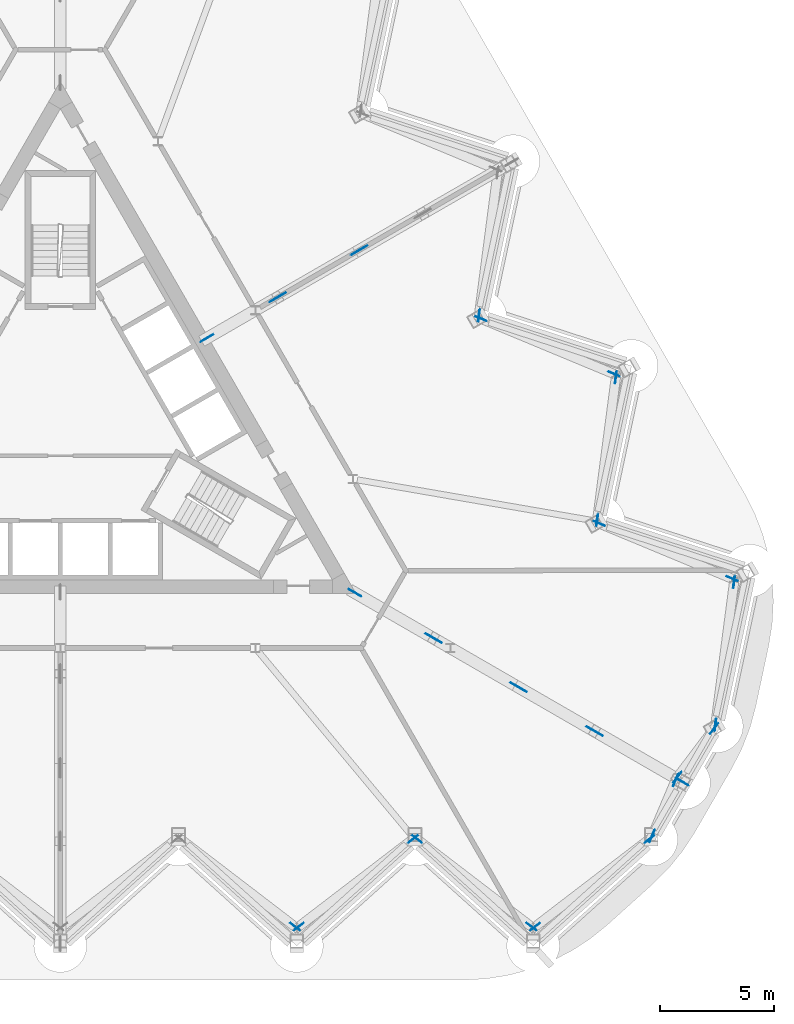
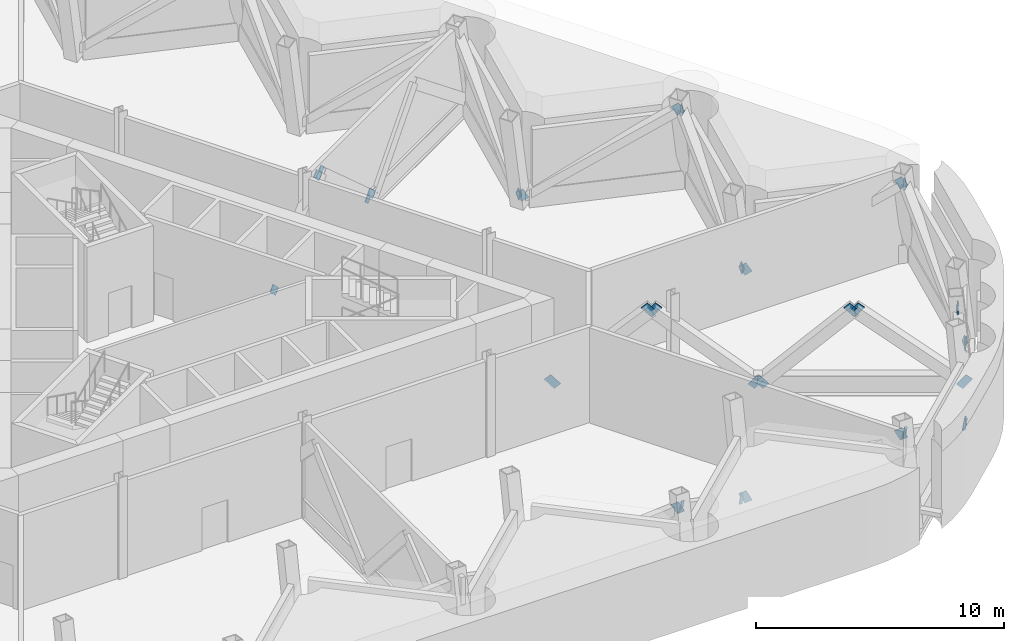
# One storey, part 11 of 16: 33 discrete accessories.
"""IFC4 building model written with IfcOpenShell, lengths in metres."""

from ifc_helpers import new_model, si_unit, direction, frame, origin, origin_2d, place, context, subcontext, project, spatial, rectangle, extrude, material, material_profile, profile_set, type_object, element, save


model = new_model("IFC4")

# Units and contexts
model_context = context("Model", 3, precision=1e-05, world=origin(), true_north=direction((0.0, 1.0)))
body_context = subcontext(model_context, "Body", "Model", "MODEL_VIEW")
ifc_project = project(units=[si_unit("LENGTHUNIT", "METRE"), si_unit("AREAUNIT", "SQUARE_METRE"), si_unit("VOLUMEUNIT", "CUBIC_METRE"), si_unit("PLANEANGLEUNIT", "RADIAN"), si_unit("MASSUNIT", "GRAM", prefix="KILO")], contexts=[model_context])

# Site, building, storey
site_placement = place(None, origin())
site = spatial("IfcSite", under=ifc_project, at=site_placement, CompositionType="ELEMENT")
building_placement = place(site_placement, origin())
building = spatial("IfcBuilding", under=site, at=building_placement, Name="Cormorant Prow Tower", CompositionType="ELEMENT")
storey_placement = place(building_placement, frame((0.0, 0.0, 356.0)))
storey = spatial("IfcBuildingStorey", under=building, at=storey_placement, Name="L79", CompositionType="ELEMENT", Elevation=356.0)

# Discrete accessories
ifc_material_1 = material(Name="Structural steel ASTM A500 Gr C", Category="steel")
ifc_material_profile_1 = material_profile(ifc_material_1, rectangle(XDim=0.031982421875, YDim=0.506103515625, at=origin_2d()), Name="Gusset plate 32x506")
ifc_profile_set_1 = profile_set([ifc_material_profile_1], Name="Structural steel ASTM A500 Gr C")
discrete_accessory_type_1 = type_object("IfcDiscreteAccessoryType", Name="Gusset plate 32x506", PredefinedType="BRACKET", material=ifc_profile_set_1)
for number, where, z_axis, x_axis, name in (
    (1, (10.193603515625, -22.068115234375, 4.099365234375), (0.686758748442, -0.525701620635, 0.501996242516), (0.607839029749, 0.794060270958, 0.0), "Gusset plate GP2 L79.S06.g1"),
    (2, (15.3916015625, -18.401611328125, 0.6005859375), (0.686390100472, 0.525953389996, -0.502236658882), (-0.608228304128, 0.793762136952, 0.0), "Gusset plate GP2 L79.S07.g0"),
    (3, (10.605712890625, -22.068115234375, 4.099365234375), (-0.686390100472, -0.525953389996, 0.502236658882), (0.608228304128, -0.793762136952, 0.0), "Gusset plate GP2 L79.S07.g1"),
    (4, (15.803466796875, -18.401611328125, 0.6005859375), (-0.686390100472, 0.525953389996, -0.502236658882), (-0.608228304128, -0.793762136952, 0.0), "Gusset plate GP2 L79.S08.g0"),
    (5, (20.593505859375, -22.068115234375, 4.099365234375), (0.686390100472, -0.525953389996, 0.502236658882), (0.608228304128, 0.793762136952, 0.0), "Gusset plate GP2 L79.S08.g1"),
    (6, (25.789794921875, -18.40185546875, 0.6005859375), (0.686138249865, 0.526457701878, -0.50205237795), (-0.60873617864, 0.793372714942, 0.0), "Gusset plate GP2 L79.S09.g0"),
    (7, (21.00537109375, -22.068115234375, 4.099365234375), (-0.686390100472, -0.525953389996, 0.502236658882), (0.608228304128, -0.793762136952, 0.0), "Gusset plate GP2 L79.S09.g1"),
    (8, (26.0654296875, -18.0791015625, 0.69091796875), (-0.232201877997, -0.549474714298, -0.802595680403), (0.921128507037, -0.389258620359, 0.0), "Gusset plate GP2 L79.ESE00.g0"),
    (9, (27.0263671875, -15.808837890625, 4.00927734375), (0.232991755543, 0.549693123855, 0.802217122377), (-0.920709030831, 0.390249766875, 0.0), "Gusset plate GP2 L79.ESE00.g1"),
    (10, (28.689697265625, -13.533935546875, 0.69091796875), (0.359728564733, 0.476152344405, -0.802417786837), (-0.797892296128, 0.602800036313, 0.0), "Gusset plate GP2 L79.ESE01.g0"),
):
    element("IfcDiscreteAccessory", number, at=place(storey_placement, frame(where, z_axis=z_axis, x_axis=x_axis)), inside=storey, type_object=discrete_accessory_type_1, Name=name, PredefinedType="BRACKET", context=body_context, shape_type="SweptSolid", body=[
        extrude(rectangle(XDim=0.031982421875, YDim=0.506103515625, at=origin_2d()), origin(), (0.0, 0.0, 1.0), 0.35009765625),
    ])
for number, where, z_axis, x_axis, name in (
    (11, (27.2041015625, -15.501220703125, 4.00927734375), (-0.360049463951, -0.475879330261, 0.802435820822), (0.797467209399, -0.603362287463, 0.0), "Gusset plate GP2 L79.ESE01.g1"),
    (12, (28.831298828125, -13.1337890625, 0.6005859375), (-0.112316901317, -0.857375600736, -0.502286763653), (0.991528277572, -0.129891011138, 0.0), "Gusset plate GP2 L79.ENE00.g0"),
):
    element("IfcDiscreteAccessory", number, at=place(storey_placement, frame(where, z_axis=z_axis, x_axis=x_axis)), inside=storey, type_object=discrete_accessory_type_1, Name=name, PredefinedType="BRACKET", context=body_context, shape_type="SweptSolid", body=[
        extrude(rectangle(XDim=0.031982421875, YDim=0.506103515625, at=origin_2d()), origin(), (0.0, 0.0, 1.0), 0.349853515625),
    ])
for number, where, z_axis, x_axis, name in (
    (13, (29.6142578125, -7.1572265625, 4.099365234375), (0.112249754948, 0.857560239663, 0.501986481754), (-0.991541872927, 0.129787188245, 0.0), "Gusset plate GP2 L79.ENE00.g1"),
    (14, (23.838134765625, -4.4853515625, 0.6005859375), (-0.798534760537, 0.331967289096, -0.502135395272), (-0.383870842914, -0.923386796505, 0.0), "Gusset plate GP2 L79.ENE01.g0"),
    (15, (29.408203125, -6.80029296875, 4.099365234375), (0.798534760537, -0.331967289096, 0.502135395272), (0.383870842914, 0.923386796505, 0.0), "Gusset plate GP2 L79.ENE01.g1"),
):
    element("IfcDiscreteAccessory", number, at=place(storey_placement, frame(where, z_axis=z_axis, x_axis=x_axis)), inside=storey, type_object=discrete_accessory_type_1, Name=name, PredefinedType="BRACKET", context=body_context, shape_type="SweptSolid", body=[
        extrude(rectangle(XDim=0.031982421875, YDim=0.506103515625, at=origin_2d()), origin(), (0.0, 0.0, 1.0), 0.35009765625),
    ])
discrete_accessory_placement = place(storey_placement, frame((23.632080078125, -4.128662109375, 0.6005859375), z_axis=(-0.112316901317, -0.857375600736, -0.502286763653), x_axis=(0.991528277572, -0.129891011138, 0.0)))
element("IfcDiscreteAccessory", 16, at=discrete_accessory_placement, inside=storey, type_object=discrete_accessory_type_1, Name="Gusset plate GP2 L79.ENE02.g0", PredefinedType="BRACKET", context=body_context, shape_type="SweptSolid", body=[
    extrude(rectangle(XDim=0.031982421875, YDim=0.506103515625, at=origin_2d()), origin(), (0.0, 0.0, 1.0), 0.349853515625),
])
for number, where, z_axis, x_axis, name in (
    (17, (24.414306640625, 1.84912109375, 4.099365234375), (0.112249754948, 0.857560239663, 0.501986481754), (-0.991541872927, 0.129787188245, 0.0), "Gusset plate GP2 L79.ENE02.g1"),
    (18, (18.638916015625, 4.519775390625, 0.6005859375), (-0.798534760537, 0.331967289096, -0.502135395272), (-0.383870842914, -0.923386796505, 0.0), "Gusset plate GP2 L79.ENE03.g0"),
    (19, (24.20849609375, 2.2060546875, 4.099365234375), (0.798534760537, -0.331967289096, 0.502135395272), (0.383870842914, 0.923386796505, 0.0), "Gusset plate GP2 L79.ENE03.g1"),
    (20, (18.432861328125, 4.876708984375, 0.6005859375), (-0.112249754948, -0.857560239663, -0.501986481754), (0.991541872927, -0.129787188245, 0.0), "Gusset plate GP2 L79.ENE04.g0"),
):
    element("IfcDiscreteAccessory", number, at=place(storey_placement, frame(where, z_axis=z_axis, x_axis=x_axis)), inside=storey, type_object=discrete_accessory_type_1, Name=name, PredefinedType="BRACKET", context=body_context, shape_type="SweptSolid", body=[
        extrude(rectangle(XDim=0.031982421875, YDim=0.506103515625, at=origin_2d()), origin(), (0.0, 0.0, 1.0), 0.35009765625),
    ])
ifc_material_2 = material(Name="Structural steel ASTM A500 Gr C", Category="steel")
ifc_material_profile_2 = material_profile(ifc_material_2, rectangle(XDim=0.031982421875, YDim=0.60791015625, at=origin_2d()), Name="Gusset plate 32x608")
ifc_profile_set_2 = profile_set([ifc_material_profile_2], Name="Structural steel ASTM A500 Gr C")
discrete_accessory_type_2 = type_object("IfcDiscreteAccessoryType", Name="Gusset plate 32x608", PredefinedType="BRACKET", material=ifc_profile_set_2)
for number, where, z_axis, x_axis, name in (
    (21, (13.062744140625, -7.541748046875, 0.701416015625), (-0.642370319707, 0.370356829277, -0.670966609726), (-0.499478139485, -0.86632649052, 0.0), "Gusset plate GP1 L79.09.1.g0"),
    (22, (16.218994140625, -9.364013671875, 3.99853515625), (0.642204295271, -0.370958398571, 0.670793194409), (0.500183610261, 0.865919370396, 0.0), "Gusset plate GP1 L79.09.1.g1"),
    (23, (16.609130859375, -9.58935546875, 4.004638671875), (-0.65753604825, 0.380018182711, 0.650563237558), (-0.500384670376, -0.865803200302, 0.0), "Gusset plate GP1 L79.09.2.g0"),
    (24, (19.953857421875, -11.520263671875, 0.6953125), (0.65753604825, -0.380018182711, -0.650563237558), (0.500384670376, 0.865803200302, 0.0), "Gusset plate GP1 L79.09.2.g1"),
    (25, (20.3388671875, -11.74267578125, 0.707763671875), (-0.625425542431, 0.361171049029, -0.691663476134), (-0.500084574084, -0.865976569408, 0.0), "Gusset plate GP1 L79.09.3.g0"),
    (26, (23.3076171875, -13.45654296875, 3.9921875), (0.625000754183, -0.361328561012, 0.691965120702), (0.500502949238, 0.865734831114, 0.0), "Gusset plate GP1 L79.09.3.g1"),
    (27, (23.69677734375, -13.681396484375, 4.010498046875), (-0.671683032002, 0.387804533534, 0.631228602245), (-0.500007885066, -0.866020851292, 0.0), "Gusset plate GP1 L79.09.4.g0"),
    (28, (27.230712890625, -15.7216796875, 0.689453125), (0.671683032002, -0.387804533534, -0.631228602245), (0.500007885066, 0.866020851292, 0.0), "Gusset plate GP1 L79.09.4.g1"),
    (29, (6.553466796875, 3.78369140625, 0.712646484375), (-0.610980878313, -0.352918178569, -0.708626224163), (0.500178781653, -0.865922159541, 0.0), "Gusset plate GP1 L79.11.1.g0"),
):
    element("IfcDiscreteAccessory", number, at=place(storey_placement, frame(where, z_axis=z_axis, x_axis=x_axis)), inside=storey, type_object=discrete_accessory_type_2, Name=name, PredefinedType="BRACKET", context=body_context, shape_type="SweptSolid", body=[
        extrude(rectangle(XDim=0.031982421875, YDim=0.60791015625, at=origin_2d()), origin(), (0.0, 0.0, 1.0), 0.35009765625),
    ])
for number, where, z_axis, x_axis, name in (
    (30, (9.37646484375, 5.41357421875, 3.9873046875), (0.611131177293, 0.352307356773, 0.708800543527), (-0.499437036909, 0.866350186797, 0.0), "Gusset plate GP1 L79.11.1.g1"),
    (31, (9.75341796875, 5.631103515625, 4.0), (-0.646013093805, -0.37253886835, 0.666244605382), (0.499560470264, -0.866279017724, 0.0), "Gusset plate GP1 L79.11.2.g0"),
):
    element("IfcDiscreteAccessory", number, at=place(storey_placement, frame(where, z_axis=z_axis, x_axis=x_axis)), inside=storey, type_object=discrete_accessory_type_2, Name=name, PredefinedType="BRACKET", context=body_context, shape_type="SweptSolid", body=[
        extrude(rectangle(XDim=0.031982421875, YDim=0.60791015625, at=origin_2d()), origin(), (0.0, 0.0, 1.0), 0.349853515625),
    ])
for number, where, z_axis, x_axis, name in (
    (32, (12.9541015625, 7.47900390625, 0.699951171875), (0.645845105027, 0.373139450528, -0.666071355616), (-0.500262019077, 0.865874074141, 0.0), "Gusset plate GP1 L79.11.2.g1"),
    (33, (13.318603515625, 7.689453125, 0.726318359375), (-0.569051216736, -0.32845970966, -0.753853388837), (0.499906209203, -0.866079547155, 0.0), "Gusset plate GP1 L79.11.3.g0"),
):
    element("IfcDiscreteAccessory", number, at=place(storey_placement, frame(where, z_axis=z_axis, x_axis=x_axis)), inside=storey, type_object=discrete_accessory_type_2, Name=name, PredefinedType="BRACKET", context=body_context, shape_type="SweptSolid", body=[
        extrude(rectangle(XDim=0.031982421875, YDim=0.60791015625, at=origin_2d()), origin(), (0.0, 0.0, 1.0), 0.35009765625),
    ])

save(model, "model.ifc")
